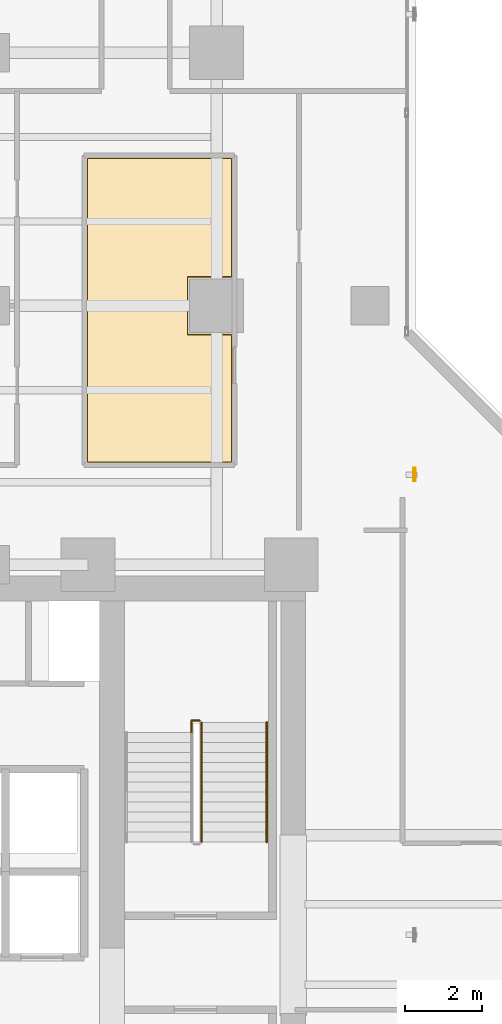
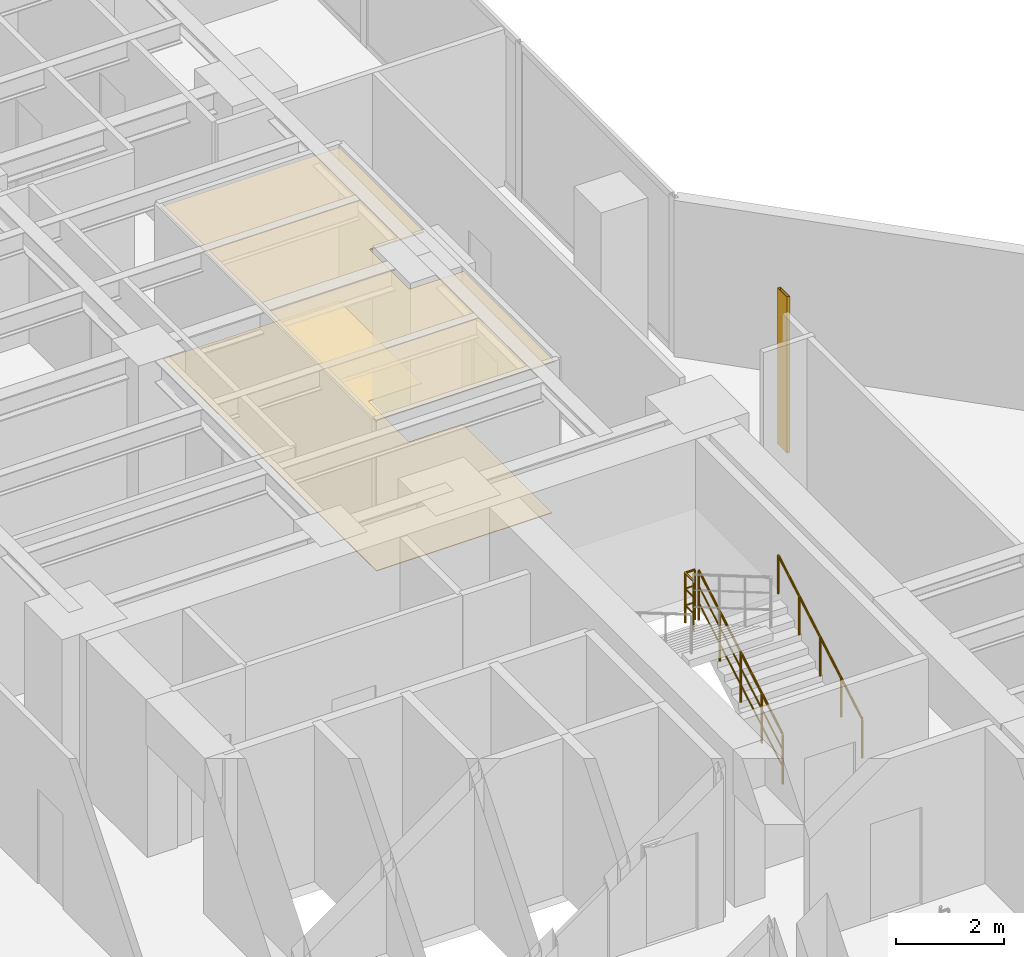
# One storey, part 24 of 26: 3 railings, 2 coverings, 1 shading device.
"""IFC4 building model written with IfcOpenShell, lengths in metres."""

from ifc_helpers import new_model, si_unit, direction, frame, origin, origin_2d, place, context, subcontext, project, spatial, polyline, hollow_rectangle, circle, outline, extrude, material, layer, layer_set, material_profile, profile_set, type_object, element, save


model = new_model("IFC4")

# Units and contexts
model_context = context("Model", 3, precision=1e-05, world=origin(), true_north=direction((0.0, 1.0)))
body_context = subcontext(model_context, "Body", "Model", "MODEL_VIEW")
ifc_project = project(units=[si_unit("LENGTHUNIT", "METRE"), si_unit("AREAUNIT", "SQUARE_METRE"), si_unit("VOLUMEUNIT", "CUBIC_METRE"), si_unit("PLANEANGLEUNIT", "RADIAN"), si_unit("MASSUNIT", "GRAM", prefix="KILO")], contexts=[model_context])

# Site, building, storey
site_placement = place(None, origin())
site = spatial("IfcSite", under=ifc_project, at=site_placement, CompositionType="ELEMENT")
building_placement = place(site_placement, origin())
building = spatial("IfcBuilding", under=site, at=building_placement, Name="Kolvaren Waterfront Exchange", CompositionType="ELEMENT")
storey_placement = place(building_placement, frame((0.0, 0.0, 122.10009765625)))
storey = spatial("IfcBuildingStorey", under=building, at=storey_placement, Name="L31", CompositionType="ELEMENT", Elevation=122.10009765625)

# Covering
ifc_material_1 = material(Name="Mineral fibre acoustic ceiling tile")
ifc_layer_1 = layer(ifc_material_1, 0.02490234375, Name="Mineral fibre acoustic ceiling tile")
ifc_layer_set_1 = layer_set([ifc_layer_1], Name="Mineral fibre acoustic ceiling tile")
covering_type_1 = type_object("IfcCoveringType", Name="ARC-CEIL-ACOUSTIC-25", PredefinedType="CEILING", material=ifc_layer_set_1)
covering_1_placement = place(storey_placement, frame((0.0, 0.0, 3.4248046875)))
element("IfcCovering", 1, at=covering_1_placement, inside=storey, type_object=covering_type_1, Name="L31 acoustic suspended ceiling 1", PredefinedType="CEILING", context=body_context, shape_type="SweptSolid", body=[
    extrude(outline(polyline([(19.22509765625, 30.4599609375), (18.06005859375, 30.4599609375), (18.06005859375, 31.93994140625), (19.22509765625, 31.93994140625), (19.22509765625, 35.074951171875), (15.39501953125, 35.074951171875), (15.39501953125, 27.094970703125), (19.22509765625, 27.094970703125), (19.22509765625, 30.4599609375)])), origin(), (0.0, 0.0, 1.0), 0.025146484375),
])

# Shading device
ifc_material_2 = material(Name="Anodised bronze aluminium 6063-T6", Category="aluminium")
ifc_material_profile = material_profile(ifc_material_2, hollow_rectangle(XDim=0.06005859375, YDim=0.35009765625, WallThickness=0.0048828125, at=origin_2d()), Name="BRZ-FIN-350x60x5")
ifc_profile_set = profile_set([ifc_material_profile], Name="Anodised bronze aluminium 6063-T6")
shading_device_type = type_object("IfcShadingDeviceType", Name="ARC-FIN-350", PredefinedType="USERDEFINED", material=ifc_profile_set)
shading_device_placement = place(storey_placement, frame((23.9599609375, 26.800048828125, 0.0), z_axis=(0.0, 0.0, 1.0), x_axis=(1.0, 0.0, 0.0)))
element("IfcShadingDevice", 2, at=shading_device_placement, inside=storey, type_object=shading_device_type, Name="L31 anodised bronze solar shading fin FIN-L31-E2", ObjectType="SOLAR FIN", PredefinedType="USERDEFINED", context=body_context, shape_type="SweptSolid", body=[
    extrude(hollow_rectangle(XDim=0.06005859375, YDim=0.35009765625, WallThickness=0.0048828125, at=origin_2d()), origin(), (0.0, 0.0, 1.0), 3.539794921875),
])

# Covering
ifc_material_3 = material(Name="Slip-resistant porcelain tile")
ifc_layer_2 = layer(ifc_material_3, 0.014892578125, Name="Slip-resistant porcelain tile")
ifc_layer_set_2 = layer_set([ifc_layer_2], Name="Slip-resistant porcelain tile")
covering_type_2 = type_object("IfcCoveringType", Name="ARC-FLR-PORC-15", PredefinedType="FLOORING", material=ifc_layer_set_2)
covering_2_placement = place(storey_placement, origin())
element("IfcCovering", 3, at=covering_2_placement, inside=storey, type_object=covering_type_2, Name="L31 floor finish 1", PredefinedType="FLOORING", context=body_context, shape_type="SweptSolid", body=[
    extrude(outline(polyline([(15.429931640625, 35.0400390625), (15.429931640625, 27.1298828125), (19.18994140625, 27.1298828125), (19.18994140625, 30.43994140625), (18.0400390625, 30.43994140625), (18.0400390625, 31.9599609375), (19.18994140625, 31.9599609375), (19.18994140625, 35.0400390625), (15.429931640625, 35.0400390625)])), origin(), (0.0, 0.0, 1.0), 0.014892578125),
])

# Railings
ifc_material_4 = material(Name="Stainless steel 316", Category="steel")
railing_type_1 = type_object("IfcRailingType", Name="ARC-GUARD-STAIR", PredefinedType="GUARDRAIL", material=ifc_material_4)
railing_1_placement = place(storey_placement, frame((18.409912109375, 17.219970703125, 0.15185546875)))
element("IfcRailing", 4, at=railing_1_placement, inside=storey, type_object=railing_type_1, Name="L31 ST2 stair guard 1", PredefinedType="GUARDRAIL", context=body_context, shape_type="SweptSolid", body=[
    extrude(circle(Radius=0.02392578125, at=origin_2d()), frame((0.0, 0.0, 1.1259765625), z_axis=(0.0, 0.86330811405, 0.504677223793), x_axis=(-1.0, 0.0, 0.0)), (0.0, 0.0, 1.0), 3.6142578125),
    extrude(circle(Radius=0.01611328125, at=origin_2d()), frame((0.0, 0.0, 0.390869140625), z_axis=(0.0, 0.86330811405, 0.504677223793), x_axis=(-1.0, 0.0, 0.0)), (0.0, 0.0, 1.0), 3.6142578125),
    extrude(circle(Radius=0.01611328125, at=origin_2d()), frame((0.0, 0.0, 0.7705078125), z_axis=(0.0, 0.86330811405, 0.504677223793), x_axis=(-1.0, 0.0, 0.0)), (0.0, 0.0, 1.0), 3.6142578125),
    extrude(circle(Radius=0.02099609375, at=origin_2d()), origin(), (0.0, 0.0, 1.0), 1.101806640625),
    extrude(circle(Radius=0.02099609375, at=origin_2d()), frame((0.0, 0.780029296875, 0.4560546875)), (0.0, 0.0, 1.0), 1.101806640625),
    extrude(circle(Radius=0.02099609375, at=origin_2d()), frame((0.0, 1.56005859375, 0.912109375)), (0.0, 0.0, 1.0), 1.101806640625),
    extrude(circle(Radius=0.02099609375, at=origin_2d()), frame((0.0, 2.340087890625, 1.367919921875)), (0.0, 0.0, 1.0), 1.101806640625),
    extrude(circle(Radius=0.02099609375, at=origin_2d()), frame((0.0, 3.1201171875, 1.823974609375)), (0.0, 0.0, 1.0), 1.101806640625),
])
railing_2_placement = place(storey_placement, frame((18.360107421875, 20.389892578125, 1.975830078125)))
element("IfcRailing", 5, at=railing_2_placement, inside=storey, type_object=railing_type_1, Name="L31 ST2 stair guard 2", PredefinedType="GUARDRAIL", context=body_context, shape_type="SweptSolid", body=[
    extrude(circle(Radius=0.02392578125, at=origin_2d()), frame((0.0, 0.0, 1.1259765625), z_axis=(-1.0, 0.0, 0.0), x_axis=(0.0, -1.0, 0.0)), (0.0, 0.0, 1.0), 0.210205078125),
    extrude(circle(Radius=0.01611328125, at=origin_2d()), frame((0.0, 0.0, 0.390869140625), z_axis=(-1.0, 0.0, 0.0), x_axis=(0.0, -1.0, 0.0)), (0.0, 0.0, 1.0), 0.210205078125),
    extrude(circle(Radius=0.01611328125, at=origin_2d()), frame((0.0, 0.0, 0.7705078125), z_axis=(-1.0, 0.0, 0.0), x_axis=(0.0, -1.0, 0.0)), (0.0, 0.0, 1.0), 0.210205078125),
    extrude(circle(Radius=0.02392578125, at=origin_2d()), frame((-0.210205078125, 0.0, 1.1259765625), z_axis=(0.0, -1.0, 0.0), x_axis=(1.0, 0.0, 0.0)), (0.0, 0.0, 1.0), 0.309814453125),
    extrude(circle(Radius=0.01611328125, at=origin_2d()), frame((-0.210205078125, 0.0, 0.390869140625), z_axis=(0.0, -1.0, 0.0), x_axis=(1.0, 0.0, 0.0)), (0.0, 0.0, 1.0), 0.309814453125),
    extrude(circle(Radius=0.01611328125, at=origin_2d()), frame((-0.210205078125, 0.0, 0.7705078125), z_axis=(0.0, -1.0, 0.0), x_axis=(1.0, 0.0, 0.0)), (0.0, 0.0, 1.0), 0.309814453125),
    extrude(circle(Radius=0.02099609375, at=origin_2d()), origin(), (0.0, 0.0, 1.0), 1.101806640625),
    extrude(circle(Radius=0.02099609375, at=origin_2d()), frame((-0.210205078125, 0.0, 0.0)), (0.0, 0.0, 1.0), 1.101806640625),
    extrude(circle(Radius=0.02099609375, at=origin_2d()), frame((-0.210205078125, -0.309814453125, 0.0)), (0.0, 0.0, 1.0), 1.101806640625),
])
railing_type_2 = type_object("IfcRailingType", Name="ARC-HANDRAIL-900", PredefinedType="HANDRAIL", material=ifc_material_4)
railing_3_placement = place(storey_placement, frame((20.110107421875, 17.219970703125, 0.15185546875)))
element("IfcRailing", 6, at=railing_3_placement, inside=storey, type_object=railing_type_2, Name="L31 ST2 stair handrail 1", PredefinedType="HANDRAIL", context=body_context, shape_type="SweptSolid", body=[
    extrude(circle(Radius=0.02392578125, at=origin_2d()), frame((0.0, 0.0, 0.8759765625), z_axis=(0.0, 0.86330811405, 0.504677223793), x_axis=(-1.0, 0.0, 0.0)), (0.0, 0.0, 1.0), 3.6142578125),
    extrude(circle(Radius=0.02099609375, at=origin_2d()), origin(), (0.0, 0.0, 1.0), 0.851806640625),
    extrude(circle(Radius=0.02099609375, at=origin_2d()), frame((0.0, 0.780029296875, 0.4560546875)), (0.0, 0.0, 1.0), 0.851806640625),
    extrude(circle(Radius=0.02099609375, at=origin_2d()), frame((0.0, 1.56005859375, 0.912109375)), (0.0, 0.0, 1.0), 0.851806640625),
    extrude(circle(Radius=0.02099609375, at=origin_2d()), frame((0.0, 2.340087890625, 1.367919921875)), (0.0, 0.0, 1.0), 0.851806640625),
    extrude(circle(Radius=0.02099609375, at=origin_2d()), frame((0.0, 3.1201171875, 1.823974609375)), (0.0, 0.0, 1.0), 0.851806640625),
])

save(model, "model.ifc")
